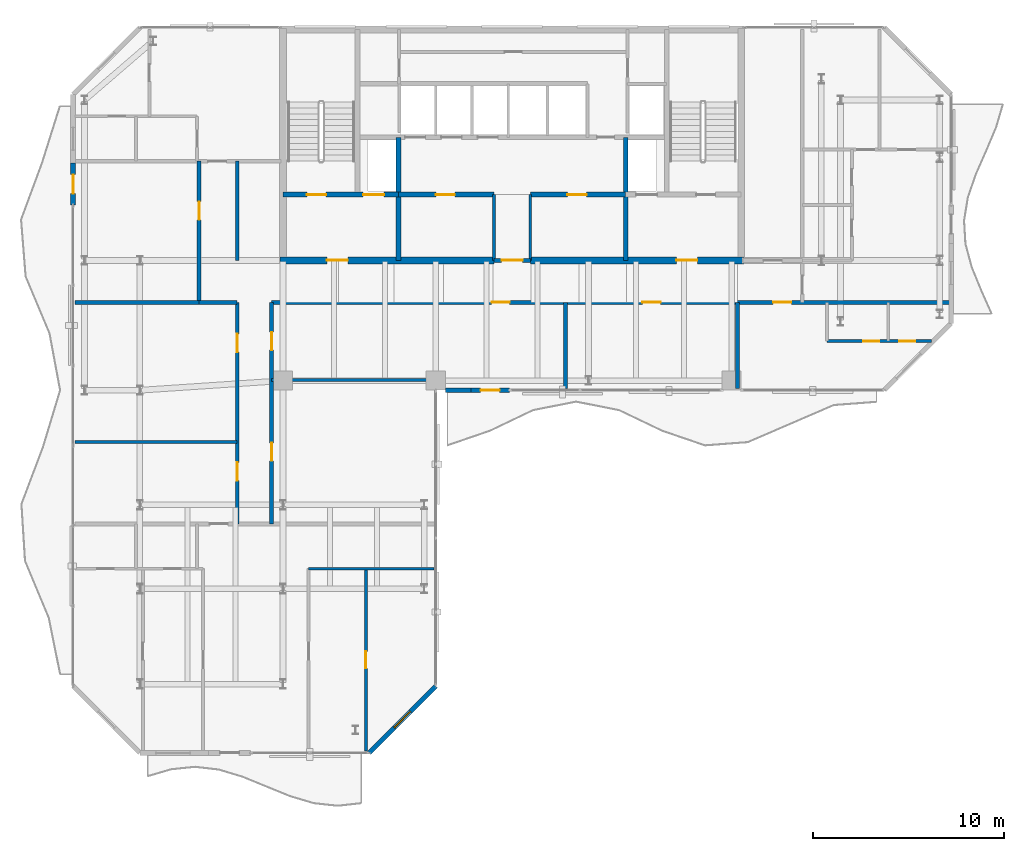
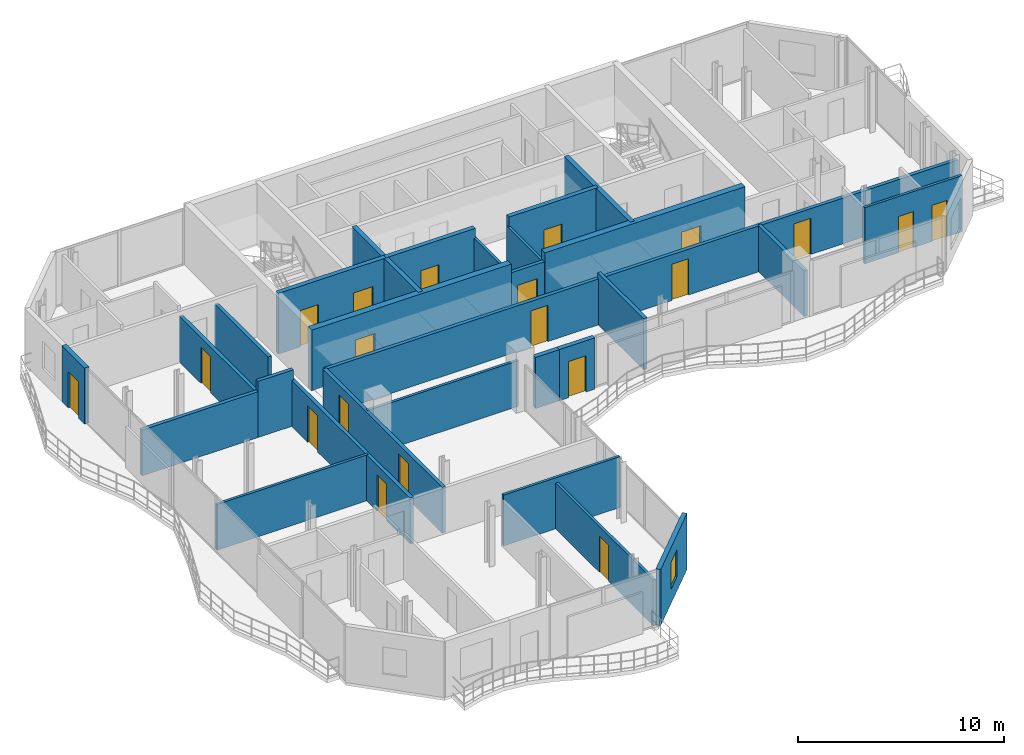
# One storey, part 18 of 23: 28 walls, 20 doors, 1 window, 21 openings.
"""IFC4 building model written with IfcOpenShell, lengths in metres."""

from ifc_helpers import new_model, si_unit, direction, frame, frame_2d, origin, place, context, subcontext, project, spatial, rectangle, extrude, material, layer, layer_set, type_object, element, fill, save


model = new_model("IFC4")

# Units and contexts
model_context = context("Model", 3, precision=1e-05, world=origin(), true_north=direction((0.0, 1.0)))
body_context = subcontext(model_context, "Body", "Model", "MODEL_VIEW")
ifc_project = project(units=[si_unit("LENGTHUNIT", "METRE"), si_unit("AREAUNIT", "SQUARE_METRE"), si_unit("VOLUMEUNIT", "CUBIC_METRE"), si_unit("PLANEANGLEUNIT", "RADIAN"), si_unit("MASSUNIT", "GRAM", prefix="KILO")], contexts=[model_context])

# Site, building, storey
site_placement = place(None, origin())
site = spatial("IfcSite", under=ifc_project, at=site_placement, CompositionType="ELEMENT")
building_placement = place(site_placement, origin())
building = spatial("IfcBuilding", under=site, at=building_placement, Name="Catumbela Crestline Tower", CompositionType="ELEMENT")
storey_placement = place(building_placement, frame((0.0, 0.0, 201.0)))
storey = spatial("IfcBuildingStorey", under=building, at=storey_placement, Name="L52", CompositionType="ELEMENT", Elevation=201.0)

# Walls
ifc_material_1 = material(Name="Concrete C50/60", Category="concrete")
ifc_layer_1 = layer(ifc_material_1, 0.25, Name="Concrete C50/60")
ifc_layer_set_1 = layer_set([ifc_layer_1], Name="Concrete C50/60")
wall_type_1 = type_object("IfcWallType", Name="CW-250D", PredefinedType="SHEAR", material=ifc_layer_set_1)
for number, where, z_axis, x_axis, name in (
    (1, (22.05, 30.8, 0.0), (0.0, 0.0, 1.0), (0.0, 1.0, 0.0), "L52 Structural Core Shear Wall FFW"),
    (2, (33.95, 30.8, 0.0), (0.0, 0.0, 1.0), (0.0, 1.0, 0.0), "L52 Structural Core Shear Wall FFE"),
):
    element("IfcWall", number, at=place(storey_placement, frame(where, z_axis=z_axis, x_axis=x_axis)), inside=storey, type_object=wall_type_1, Name=name, PredefinedType="SHEAR", context=body_context, shape_type="SweptSolid", body=[
        extrude(rectangle(XDim=6.45, YDim=0.25, at=frame_2d((3.225, 0.0))), origin(), (0.0, 0.0, 1.0), 3.6),
    ])

# Wall, openings, doors
wall_1_placement = place(storey_placement, frame((16.0, 34.25, 0.0), z_axis=(0.0, 0.0, 1.0), x_axis=(1.0, 0.0, 0.0)))
wall_1 = element("IfcWall", 3, at=wall_1_placement, inside=storey, type_object=wall_type_1, Name="L52 Structural Core Shear Wall ST1S", PredefinedType="SHEAR", context=body_context, shape_type="SweptSolid", body=[
    extrude(rectangle(XDim=6.05, YDim=0.25, at=frame_2d((3.025, 0.0))), origin(), (0.0, 0.0, 1.0), 3.6),
])
opening_1_placement = place(wall_1_placement, frame((1.25, 0.0, 0.0)))
opening_1 = element("IfcOpeningElement", 4, at=opening_1_placement, cuts=wall_1, Name="Opening DF9-100", PredefinedType="OPENING", context=body_context, shape_type="SweptSolid", body=[
    extrude(rectangle(XDim=1.0, YDim=2.15, at=frame_2d((0.5, 1.075))), frame((0.0, 0.135, 0.0), z_axis=(0.0, -1.0, 0.0), x_axis=(1.0, 0.0, 0.0)), (0.0, 0.0, 1.0), 0.27),
])
opening_2_placement = place(wall_1_placement, frame((4.2, 0.0, 0.0)))
opening_2 = element("IfcOpeningElement", 5, at=opening_2_placement, cuts=wall_1, Name="Opening LD-110", PredefinedType="OPENING", context=body_context, shape_type="SweptSolid", body=[
    extrude(rectangle(XDim=1.1, YDim=2.15, at=frame_2d((0.55, 1.075))), frame((0.0, 0.135, 0.0), z_axis=(0.0, -1.0, 0.0), x_axis=(1.0, 0.0, 0.0)), (0.0, 0.0, 1.0), 0.27),
])
ifc_material_2 = material(Name="Stainless steel EN 1.4401", Category="steel")
door_type_1 = type_object("IfcDoorType", Name="DF9-100", OperationType="NOTDEFINED", PredefinedType="DOOR", material=ifc_material_2)
door_1_placement = place(opening_1_placement, origin())
door_1 = element("IfcDoor", 6, at=door_1_placement, inside=storey, type_object=door_type_1, Name="L52 Interior Door DR-L52-ST01", OperationType="SINGLE_SWING_LEFT", OverallHeight=2.15, OverallWidth=1.0, PredefinedType="DOOR", context=body_context, shape_type="SweptSolid", body=[
    extrude(rectangle(XDim=1.0, YDim=2.15, at=frame_2d((0.5, 1.075))), frame((0.0, 0.025, 0.0), z_axis=(0.0, -1.0, 0.0), x_axis=(1.0, 0.0, 0.0)), (0.0, 0.0, 1.0), 0.05),
])
fill(opening_1, door_1)
door_type_2 = type_object("IfcDoorType", Name="LD-110", OperationType="NOTDEFINED", PredefinedType="DOOR", material=ifc_material_2)
door_2_placement = place(opening_2_placement, origin())
door_2 = element("IfcDoor", 7, at=door_2_placement, inside=storey, type_object=door_type_2, Name="L52 Lift Landing Sliding Door FL-01", OperationType="DOUBLE_DOOR_SLIDING", OverallHeight=2.15, OverallWidth=1.1, PredefinedType="DOOR", context=body_context, shape_type="SweptSolid", body=[
    extrude(rectangle(XDim=1.1, YDim=2.15, at=frame_2d((0.55, 1.075))), frame((0.0, 0.025, 0.0), z_axis=(0.0, -1.0, 0.0), x_axis=(1.0, 0.0, 0.0)), (0.0, 0.0, 1.0), 0.05),
])
fill(opening_2, door_2)

# Wall, opening, door
wall_2_placement = place(storey_placement, frame((22.05, 34.25, 0.0), z_axis=(0.0, 0.0, 1.0), x_axis=(1.0, 0.0, 0.0)))
wall_2 = element("IfcWall", 8, at=wall_2_placement, inside=storey, type_object=wall_type_1, Name="L52 Structural Core Shear Wall LIFTS-W", PredefinedType="SHEAR", context=body_context, shape_type="SweptSolid", body=[
    extrude(rectangle(XDim=5.0, YDim=0.25, at=frame_2d((2.5, 0.0))), origin(), (0.0, 0.0, 1.0), 3.6),
])
opening_3_placement = place(wall_2_placement, frame((1.95, 0.0, 0.0)))
opening_3 = element("IfcOpeningElement", 9, at=opening_3_placement, cuts=wall_2, Name="Opening DF9-100", PredefinedType="OPENING", context=body_context, shape_type="SweptSolid", body=[
    extrude(rectangle(XDim=1.0, YDim=2.15, at=frame_2d((0.5, 1.075))), frame((0.0, 0.135, 0.0), z_axis=(0.0, -1.0, 0.0), x_axis=(1.0, 0.0, 0.0)), (0.0, 0.0, 1.0), 0.27),
])
door_3_placement = place(opening_3_placement, origin())
door_3 = element("IfcDoor", 10, at=door_3_placement, inside=storey, type_object=door_type_1, Name="L52 Interior Door DR-L52-RECL1", OperationType="SINGLE_SWING_LEFT", OverallHeight=2.15, OverallWidth=1.0, PredefinedType="DOOR", context=body_context, shape_type="SweptSolid", body=[
    extrude(rectangle(XDim=1.0, YDim=2.15, at=frame_2d((0.5, 1.075))), frame((0.0, 0.025, 0.0), z_axis=(0.0, -1.0, 0.0), x_axis=(1.0, 0.0, 0.0)), (0.0, 0.0, 1.0), 0.05),
])
fill(opening_3, door_3)

wall_3_placement = place(storey_placement, frame((28.95, 34.25, 0.0), z_axis=(0.0, 0.0, 1.0), x_axis=(1.0, 0.0, 0.0)))
wall_3 = element("IfcWall", 11, at=wall_3_placement, inside=storey, type_object=wall_type_1, Name="L52 Structural Core Shear Wall LIFTS-E", PredefinedType="SHEAR", context=body_context, shape_type="SweptSolid", body=[
    extrude(rectangle(XDim=5.0, YDim=0.25, at=frame_2d((2.5, 0.0))), origin(), (0.0, 0.0, 1.0), 3.6),
])
opening_4_placement = place(wall_3_placement, frame((1.95, 0.0, 0.0)))
opening_4 = element("IfcOpeningElement", 12, at=opening_4_placement, cuts=wall_3, Name="Opening DF9-100", PredefinedType="OPENING", context=body_context, shape_type="SweptSolid", body=[
    extrude(rectangle(XDim=1.0, YDim=2.15, at=frame_2d((0.5, 1.075))), frame((0.0, 0.135, 0.0), z_axis=(0.0, -1.0, 0.0), x_axis=(1.0, 0.0, 0.0)), (0.0, 0.0, 1.0), 0.27),
])
door_4_placement = place(opening_4_placement, origin())
door_4 = element("IfcDoor", 13, at=door_4_placement, inside=storey, type_object=door_type_1, Name="L52 Interior Door DR-L52-RECL2", OperationType="SINGLE_SWING_RIGHT", OverallHeight=2.15, OverallWidth=1.0, PredefinedType="DOOR", context=body_context, shape_type="SweptSolid", body=[
    extrude(rectangle(XDim=1.0, YDim=2.15, at=frame_2d((0.5, 1.075))), frame((0.0, 0.025, 0.0), z_axis=(0.0, -1.0, 0.0), x_axis=(1.0, 0.0, 0.0)), (0.0, 0.0, 1.0), 0.05),
])
fill(opening_4, door_4)

ifc_layer_2 = layer(ifc_material_1, 0.35, Name="Concrete C50/60")
ifc_layer_set_2 = layer_set([ifc_layer_2], Name="Concrete C50/60")
wall_type_2 = type_object("IfcWallType", Name="CW-350B", PredefinedType="SHEAR", material=ifc_layer_set_2)
wall_4_placement = place(storey_placement, frame((15.85, 30.8, 0.0), z_axis=(0.0, 0.0, 1.0), x_axis=(1.0, 0.0, 0.0)))
wall_4 = element("IfcWall", 14, at=wall_4_placement, inside=storey, type_object=wall_type_2, Name="L52 Structural Core Shear Wall SW", PredefinedType="SHEAR", context=body_context, shape_type="SweptSolid", body=[
    extrude(rectangle(XDim=11.2, YDim=0.35, at=frame_2d((5.6, 0.0))), origin(), (0.0, 0.0, 1.0), 3.6),
])
opening_5_placement = place(wall_4_placement, frame((2.45, 0.0, 0.0)))
opening_5 = element("IfcOpeningElement", 15, at=opening_5_placement, cuts=wall_4, Name="Opening DF9-110", PredefinedType="OPENING", context=body_context, shape_type="SweptSolid", body=[
    extrude(rectangle(XDim=1.1, YDim=2.15, at=frame_2d((0.55, 1.075))), frame((0.0, 0.185, 0.0), z_axis=(0.0, -1.0, 0.0), x_axis=(1.0, 0.0, 0.0)), (0.0, 0.0, 1.0), 0.37),
])
door_type_3 = type_object("IfcDoorType", Name="DF9-110", OperationType="NOTDEFINED", PredefinedType="DOOR", material=ifc_material_2)
door_5_placement = place(opening_5_placement, origin())
door_5 = element("IfcDoor", 16, at=door_5_placement, inside=storey, type_object=door_type_3, Name="L52 Interior Door DR-L52-FFW-S", OperationType="SINGLE_SWING_LEFT", OverallHeight=2.15, OverallWidth=1.1, PredefinedType="DOOR", context=body_context, shape_type="SweptSolid", body=[
    extrude(rectangle(XDim=1.1, YDim=2.15, at=frame_2d((0.55, 1.075))), frame((0.0, 0.025, 0.0), z_axis=(0.0, -1.0, 0.0), x_axis=(1.0, 0.0, 0.0)), (0.0, 0.0, 1.0), 0.05),
])
fill(opening_5, door_5)

wall_5_placement = place(storey_placement, frame((28.95, 30.8, 0.0), z_axis=(0.0, 0.0, 1.0), x_axis=(1.0, 0.0, 0.0)))
wall_5 = element("IfcWall", 17, at=wall_5_placement, inside=storey, type_object=wall_type_2, Name="L52 Structural Core Shear Wall SE", PredefinedType="SHEAR", context=body_context, shape_type="SweptSolid", body=[
    extrude(rectangle(XDim=11.2, YDim=0.35, at=frame_2d((5.6, 0.0))), origin(), (0.0, 0.0, 1.0), 3.6),
])
opening_6_placement = place(wall_5_placement, frame((7.65, 0.0, 0.0)))
opening_6 = element("IfcOpeningElement", 18, at=opening_6_placement, cuts=wall_5, Name="Opening DF9-110", PredefinedType="OPENING", context=body_context, shape_type="SweptSolid", body=[
    extrude(rectangle(XDim=1.1, YDim=2.15, at=frame_2d((0.55, 1.075))), frame((0.0, 0.185, 0.0), z_axis=(0.0, -1.0, 0.0), x_axis=(1.0, 0.0, 0.0)), (0.0, 0.0, 1.0), 0.37),
])
door_6_placement = place(opening_6_placement, origin())
door_6 = element("IfcDoor", 19, at=door_6_placement, inside=storey, type_object=door_type_3, Name="L52 Interior Door DR-L52-FFE-S", OperationType="SINGLE_SWING_RIGHT", OverallHeight=2.15, OverallWidth=1.1, PredefinedType="DOOR", context=body_context, shape_type="SweptSolid", body=[
    extrude(rectangle(XDim=1.1, YDim=2.15, at=frame_2d((0.55, 1.075))), frame((0.0, 0.025, 0.0), z_axis=(0.0, -1.0, 0.0), x_axis=(1.0, 0.0, 0.0)), (0.0, 0.0, 1.0), 0.05),
])
fill(opening_6, door_6)

ifc_material_3 = material(Name="Acoustic gypsum and mineral-wool partition")
ifc_layer_3 = layer(ifc_material_3, 0.2, Name="Acoustic gypsum and mineral-wool partition")
ifc_layer_set_3 = layer_set([ifc_layer_3], Name="Acoustic gypsum and mineral-wool partition")
wall_type_3 = type_object("IfcWallType", Name="WC-200", PredefinedType="PARTITIONING", material=ifc_layer_set_3)
wall_6_placement = place(storey_placement, frame((27.05, 30.8, 0.0), z_axis=(0.0, 0.0, 1.0), x_axis=(1.0, 0.0, 0.0)))
wall_6 = element("IfcWall", 20, at=wall_6_placement, inside=storey, type_object=wall_type_3, Name="L52 Interior Partition PW-L52-CLOBS", PredefinedType="PARTITIONING", context=body_context, shape_type="SweptSolid", body=[
    extrude(rectangle(XDim=1.9, YDim=0.2, at=frame_2d((0.95, 0.0))), origin(), (0.0, 0.0, 1.0), 3.02),
])
opening_7_placement = place(wall_6_placement, frame((0.4, 0.0, 0.0)))
opening_7 = element("IfcOpeningElement", 21, at=opening_7_placement, cuts=wall_6, Name="Opening DF9-110", PredefinedType="OPENING", context=body_context, shape_type="SweptSolid", body=[
    extrude(rectangle(XDim=1.1, YDim=2.15, at=frame_2d((0.55, 1.075))), frame((0.0, 0.11, 0.0), z_axis=(0.0, -1.0, 0.0), x_axis=(1.0, 0.0, 0.0)), (0.0, 0.0, 1.0), 0.22),
])
door_7_placement = place(opening_7_placement, origin())
door_7 = element("IfcDoor", 22, at=door_7_placement, inside=storey, type_object=door_type_3, Name="L52 Interior Door DR-L52-CLOBS", OperationType="SINGLE_SWING_LEFT", OverallHeight=2.15, OverallWidth=1.1, PredefinedType="DOOR", context=body_context, shape_type="SweptSolid", body=[
    extrude(rectangle(XDim=1.1, YDim=2.15, at=frame_2d((0.55, 1.075))), frame((0.0, 0.025, 0.0), z_axis=(0.0, -1.0, 0.0), x_axis=(1.0, 0.0, 0.0)), (0.0, 0.0, 1.0), 0.05),
])
fill(opening_7, door_7)

# Wall
wall_7_placement = place(storey_placement, frame((11.6, 28.6, 0.0), z_axis=(0.0, 0.0, 1.0), x_axis=(1.0, 0.0, 0.0)))
element("IfcWall", 23, at=wall_7_placement, inside=storey, type_object=wall_type_3, Name="L52 Interior Partition PW-L52-RCWL", PredefinedType="PARTITIONING", context=body_context, shape_type="SweptSolid", body=[
    extrude(rectangle(XDim=2.0, YDim=0.2, at=frame_2d((1.0, 0.0))), origin(), (0.0, 0.0, 1.0), 3.33),
])

# Wall, openings, doors
wall_8_placement = place(storey_placement, frame((15.4, 28.6, 0.0), z_axis=(0.0, 0.0, 1.0), x_axis=(1.0, 0.0, 0.0)))
wall_8 = element("IfcWall", 24, at=wall_8_placement, inside=storey, type_object=wall_type_3, Name="L52 Interior Partition PW-L52-RCWR", PredefinedType="PARTITIONING", context=body_context, shape_type="SweptSolid", body=[
    extrude(rectangle(XDim=35.5, YDim=0.2, at=frame_2d((17.75, 0.0))), origin(), (0.0, 0.0, 1.0), 2.72),
])
opening_8_placement = place(wall_8_placement, frame((11.525, 0.0, 0.0)))
opening_8 = element("IfcOpeningElement", 25, at=opening_8_placement, cuts=wall_8, Name="Opening DF6-095", PredefinedType="OPENING", context=body_context, shape_type="SweptSolid", body=[
    extrude(rectangle(XDim=0.95, YDim=2.15, at=frame_2d((0.475, 1.075))), frame((0.0, 0.11, 0.0), z_axis=(0.0, -1.0, 0.0), x_axis=(1.0, 0.0, 0.0)), (0.0, 0.0, 1.0), 0.22),
])
opening_9_placement = place(wall_8_placement, frame((19.425, 0.0, 0.0)))
opening_9 = element("IfcOpeningElement", 26, at=opening_9_placement, cuts=wall_8, Name="Opening DF6-095", PredefinedType="OPENING", context=body_context, shape_type="SweptSolid", body=[
    extrude(rectangle(XDim=0.95, YDim=2.15, at=frame_2d((0.475, 1.075))), frame((0.0, 0.11, 0.0), z_axis=(0.0, -1.0, 0.0), x_axis=(1.0, 0.0, 0.0)), (0.0, 0.0, 1.0), 0.22),
])
opening_10_placement = place(wall_8_placement, frame((26.275, 0.0, 0.0)))
opening_10 = element("IfcOpeningElement", 27, at=opening_10_placement, cuts=wall_8, Name="Opening DF6-095", PredefinedType="OPENING", context=body_context, shape_type="SweptSolid", body=[
    extrude(rectangle(XDim=0.95, YDim=2.15, at=frame_2d((0.475, 1.075))), frame((0.0, 0.11, 0.0), z_axis=(0.0, -1.0, 0.0), x_axis=(1.0, 0.0, 0.0)), (0.0, 0.0, 1.0), 0.22),
])
ifc_material_4 = material(Name="Aluminium alloy AW-6060-T66", Category="aluminium")
door_type_4 = type_object("IfcDoorType", Name="DF6-095", OperationType="NOTDEFINED", PredefinedType="DOOR", material=ifc_material_4)
door_8_placement = place(opening_8_placement, origin())
door_8 = element("IfcDoor", 28, at=door_8_placement, inside=storey, type_object=door_type_4, Name="L52 Interior Door DR-L52-Z3AM1-ENT", OperationType="SINGLE_SWING_LEFT", OverallHeight=2.15, OverallWidth=0.95, PredefinedType="DOOR", context=body_context, shape_type="SweptSolid", body=[
    extrude(rectangle(XDim=0.95, YDim=2.15, at=frame_2d((0.475, 1.075))), frame((0.0, 0.025, 0.0), z_axis=(0.0, -1.0, 0.0), x_axis=(1.0, 0.0, 0.0)), (0.0, 0.0, 1.0), 0.05),
])
fill(opening_8, door_8)
door_9_placement = place(opening_9_placement, origin())
door_9 = element("IfcDoor", 29, at=door_9_placement, inside=storey, type_object=door_type_4, Name="L52 Interior Door DR-L52-Z3AM2-ENT", OperationType="SINGLE_SWING_RIGHT", OverallHeight=2.15, OverallWidth=0.95, PredefinedType="DOOR", context=body_context, shape_type="SweptSolid", body=[
    extrude(rectangle(XDim=0.95, YDim=2.15, at=frame_2d((0.475, 1.075))), frame((0.0, 0.025, 0.0), z_axis=(0.0, -1.0, 0.0), x_axis=(1.0, 0.0, 0.0)), (0.0, 0.0, 1.0), 0.05),
])
fill(opening_9, door_9)
door_10_placement = place(opening_10_placement, origin())
door_10 = element("IfcDoor", 30, at=door_10_placement, inside=storey, type_object=door_type_4, Name="L52 Interior Door DR-L52-S3-ENT", OperationType="SINGLE_SWING_LEFT", OverallHeight=2.15, OverallWidth=0.95, PredefinedType="DOOR", context=body_context, shape_type="SweptSolid", body=[
    extrude(rectangle(XDim=0.95, YDim=2.15, at=frame_2d((0.475, 1.075))), frame((0.0, 0.025, 0.0), z_axis=(0.0, -1.0, 0.0), x_axis=(1.0, 0.0, 0.0)), (0.0, 0.0, 1.0), 0.05),
])
fill(opening_10, door_10)

# Wall
wall_9_placement = place(storey_placement, frame((13.6, 30.8, 0.0), z_axis=(0.0, 0.0, 1.0), x_axis=(0.0, 1.0, 0.0)))
element("IfcWall", 31, at=wall_9_placement, inside=storey, type_object=wall_type_3, Name="L52 Interior Partition PW-L52-NWFYE", PredefinedType="PARTITIONING", context=body_context, shape_type="SweptSolid", body=[
    extrude(rectangle(XDim=5.2, YDim=0.2, at=frame_2d((2.6, 0.0))), origin(), (0.0, 0.0, 1.0), 2.72),
])

# Wall, opening, door
wall_10_placement = place(storey_placement, frame((11.6, 28.6, 0.0), z_axis=(0.0, 0.0, 1.0), x_axis=(0.0, 1.0, 0.0)))
wall_10 = element("IfcWall", 32, at=wall_10_placement, inside=storey, type_object=wall_type_3, Name="L52 Interior Partition PW-L52-NWAM-ENT", PredefinedType="PARTITIONING", context=body_context, shape_type="SweptSolid", body=[
    extrude(rectangle(XDim=7.4, YDim=0.2, at=frame_2d((3.7, 0.0))), origin(), (0.0, 0.0, 1.0), 2.72),
])
opening_11_placement = place(wall_10_placement, frame((4.325, 0.0, 0.0)))
opening_11 = element("IfcOpeningElement", 33, at=opening_11_placement, cuts=wall_10, Name="Opening DF6-095", PredefinedType="OPENING", context=body_context, shape_type="SweptSolid", body=[
    extrude(rectangle(XDim=0.95, YDim=2.15, at=frame_2d((0.475, 1.075))), frame((0.0, 0.11, 0.0), z_axis=(0.0, -1.0, 0.0), x_axis=(1.0, 0.0, 0.0)), (0.0, 0.0, 1.0), 0.22),
])
door_11_placement = place(opening_11_placement, origin())
door_11 = element("IfcDoor", 34, at=door_11_placement, inside=storey, type_object=door_type_4, Name="L52 Interior Door DR-L52-NWAM-ENT", OperationType="SINGLE_SWING_RIGHT", OverallHeight=2.15, OverallWidth=0.95, PredefinedType="DOOR", context=body_context, shape_type="SweptSolid", body=[
    extrude(rectangle(XDim=0.95, YDim=2.15, at=frame_2d((0.475, 1.075))), frame((0.0, 0.025, 0.0), z_axis=(0.0, -1.0, 0.0), x_axis=(1.0, 0.0, 0.0)), (0.0, 0.0, 1.0), 0.05),
])
fill(opening_11, door_11)

# Wall, openings, doors
wall_11_placement = place(storey_placement, frame((13.6, 17.0, 0.0), z_axis=(0.0, 0.0, 1.0), x_axis=(0.0, 1.0, 0.0)))
wall_11 = element("IfcWall", 35, at=wall_11_placement, inside=storey, type_object=wall_type_3, Name="L52 Interior Partition PW-L52-Z3TR1-ENT", PredefinedType="PARTITIONING", context=body_context, shape_type="SweptSolid", body=[
    extrude(rectangle(XDim=11.6, YDim=0.2, at=frame_2d((5.8, 0.0))), origin(), (0.0, 0.0, 1.0), 2.72),
])
opening_12_placement = place(wall_11_placement, frame((8.9962, 0.0, 0.0)))
opening_12 = element("IfcOpeningElement", 36, at=opening_12_placement, cuts=wall_11, Name="Opening DF6-095", PredefinedType="OPENING", context=body_context, shape_type="SweptSolid", body=[
    extrude(rectangle(XDim=0.95, YDim=2.15, at=frame_2d((0.475, 1.075))), frame((0.0, 0.11, 0.0), z_axis=(0.0, -1.0, 0.0), x_axis=(1.0, 0.0, 0.0)), (0.0, 0.0, 1.0), 0.22),
])
opening_13_placement = place(wall_11_placement, frame((2.269, 0.0, 0.0)))
opening_13 = element("IfcOpeningElement", 37, at=opening_13_placement, cuts=wall_11, Name="Opening DF6-095", PredefinedType="OPENING", context=body_context, shape_type="SweptSolid", body=[
    extrude(rectangle(XDim=0.95, YDim=2.15, at=frame_2d((0.475, 1.075))), frame((0.0, 0.11, 0.0), z_axis=(0.0, -1.0, 0.0), x_axis=(1.0, 0.0, 0.0)), (0.0, 0.0, 1.0), 0.22),
])
door_12_placement = place(opening_12_placement, origin())
door_12 = element("IfcDoor", 38, at=door_12_placement, inside=storey, type_object=door_type_4, Name="L52 Interior Door DR-L52-Z3TR1-ENT", OperationType="SINGLE_SWING_LEFT", OverallHeight=2.15, OverallWidth=0.95, PredefinedType="DOOR", context=body_context, shape_type="SweptSolid", body=[
    extrude(rectangle(XDim=0.95, YDim=2.15, at=frame_2d((0.475, 1.075))), frame((0.0, 0.025, 0.0), z_axis=(0.0, -1.0, 0.0), x_axis=(1.0, 0.0, 0.0)), (0.0, 0.0, 1.0), 0.05),
])
fill(opening_12, door_12)
door_13_placement = place(opening_13_placement, origin())
door_13 = element("IfcDoor", 39, at=door_13_placement, inside=storey, type_object=door_type_4, Name="L52 Interior Door DR-L52-Z3DN1-ENT", OperationType="SINGLE_SWING_LEFT", OverallHeight=2.15, OverallWidth=0.95, PredefinedType="DOOR", context=body_context, shape_type="SweptSolid", body=[
    extrude(rectangle(XDim=0.95, YDim=2.15, at=frame_2d((0.475, 1.075))), frame((0.0, 0.025, 0.0), z_axis=(0.0, -1.0, 0.0), x_axis=(1.0, 0.0, 0.0)), (0.0, 0.0, 1.0), 0.05),
])
fill(opening_13, door_13)

wall_12_placement = place(storey_placement, frame((15.4, 17.0, 0.0), z_axis=(0.0, 0.0, 1.0), x_axis=(0.0, 1.0, 0.0)))
wall_12 = element("IfcWall", 40, at=wall_12_placement, inside=storey, type_object=wall_type_3, Name="L52 Interior Partition PW-L52-Z3OF3-ENT", PredefinedType="PARTITIONING", context=body_context, shape_type="SweptSolid", body=[
    extrude(rectangle(XDim=11.6, YDim=0.2, at=frame_2d((5.8, 0.0))), origin(), (0.0, 0.0, 1.0), 2.72),
])
opening_14_placement = place(wall_12_placement, frame((9.095, 0.0, 0.0)))
opening_14 = element("IfcOpeningElement", 41, at=opening_14_placement, cuts=wall_12, Name="Opening DF6-095", PredefinedType="OPENING", context=body_context, shape_type="SweptSolid", body=[
    extrude(rectangle(XDim=0.95, YDim=2.15, at=frame_2d((0.475, 1.075))), frame((0.0, 0.11, 0.0), z_axis=(0.0, -1.0, 0.0), x_axis=(1.0, 0.0, 0.0)), (0.0, 0.0, 1.0), 0.22),
])
opening_15_placement = place(wall_12_placement, frame((3.295, 0.0, 0.0)))
opening_15 = element("IfcOpeningElement", 42, at=opening_15_placement, cuts=wall_12, Name="Opening DF6-095", PredefinedType="OPENING", context=body_context, shape_type="SweptSolid", body=[
    extrude(rectangle(XDim=0.95, YDim=2.15, at=frame_2d((0.475, 1.075))), frame((0.0, 0.11, 0.0), z_axis=(0.0, -1.0, 0.0), x_axis=(1.0, 0.0, 0.0)), (0.0, 0.0, 1.0), 0.22),
])
door_14_placement = place(opening_14_placement, origin())
door_14 = element("IfcDoor", 43, at=door_14_placement, inside=storey, type_object=door_type_4, Name="L52 Interior Door DR-L52-Z3OF3-ENT", OperationType="SINGLE_SWING_RIGHT", OverallHeight=2.15, OverallWidth=0.95, PredefinedType="DOOR", context=body_context, shape_type="SweptSolid", body=[
    extrude(rectangle(XDim=0.95, YDim=2.15, at=frame_2d((0.475, 1.075))), frame((0.0, 0.025, 0.0), z_axis=(0.0, -1.0, 0.0), x_axis=(1.0, 0.0, 0.0)), (0.0, 0.0, 1.0), 0.05),
])
fill(opening_14, door_14)
door_15_placement = place(opening_15_placement, origin())
door_15 = element("IfcDoor", 44, at=door_15_placement, inside=storey, type_object=door_type_4, Name="L52 Interior Door DR-L52-Z3MT1-ENT", OperationType="SINGLE_SWING_RIGHT", OverallHeight=2.15, OverallWidth=0.95, PredefinedType="DOOR", context=body_context, shape_type="SweptSolid", body=[
    extrude(rectangle(XDim=0.95, YDim=2.15, at=frame_2d((0.475, 1.075))), frame((0.0, 0.025, 0.0), z_axis=(0.0, -1.0, 0.0), x_axis=(1.0, 0.0, 0.0)), (0.0, 0.0, 1.0), 0.05),
])
fill(opening_15, door_15)

# Wall, opening, window
ifc_material_5 = material(Name="Angolan grey-ochre granite", Category="masonry")
ifc_layer_4 = layer(ifc_material_5, 0.25, Name="Angolan grey-ochre granite")
ifc_layer_set_4 = layer_set([ifc_layer_4], Name="Angolan grey-ochre granite")
wall_type_4 = type_object("IfcWallType", Name="WE-250", PredefinedType="STANDARD", material=ifc_layer_set_4)
wall_13_placement = place(storey_placement, frame((20.5, 5.0, 0.0), z_axis=(0.0, 0.0, 1.0), x_axis=(0.707106781187, 0.707106781187, 0.0)))
wall_13 = element("IfcWall", 45, at=wall_13_placement, inside=storey, type_object=wall_type_4, Name="L52 Granite Punched Window Wall 1-1", PredefinedType="STANDARD", context=body_context, shape_type="SweptSolid", body=[
    extrude(rectangle(XDim=4.9497, YDim=0.25, at=frame_2d((2.4748, 0.0))), origin(), (0.0, 0.0, 1.0), 3.33),
])
opening_16_placement = place(wall_13_placement, frame((1.8748, 0.0, 0.85)))
opening_16 = element("IfcOpeningElement", 46, at=opening_16_placement, cuts=wall_13, Name="Opening WN-02", PredefinedType="OPENING", context=body_context, shape_type="SweptSolid", body=[
    extrude(rectangle(XDim=1.2, YDim=1.6, at=frame_2d((0.6, 0.8))), frame((0.0, 0.135, 0.0), z_axis=(0.0, -1.0, 0.0), x_axis=(1.0, 0.0, 0.0)), (0.0, 0.0, 1.0), 0.27),
])
ifc_material_6 = material(Name="Low-E laminated solar-control double glazing", Category="glass")
window_type = type_object("IfcWindowType", Name="WO-1200", PartitioningType="SINGLE_PANEL", PredefinedType="WINDOW", material=ifc_material_6)
window_placement = place(opening_16_placement, origin())
window = element("IfcWindow", 47, at=window_placement, inside=storey, type_object=window_type, Name="L52 Facade Vision Window 346", OverallHeight=1.6, OverallWidth=1.2, PartitioningType="SINGLE_PANEL", PredefinedType="WINDOW", context=body_context, shape_type="SweptSolid", body=[
    extrude(rectangle(XDim=1.2, YDim=1.6, at=frame_2d((0.6, 0.8))), frame((0.0, 0.03, 0.0), z_axis=(0.0, -1.0, 0.0), x_axis=(1.0, 0.0, 0.0)), (0.0, 0.0, 1.0), 0.06),
])
fill(opening_16, window)

# Wall, opening, door
wall_14_placement = place(storey_placement, frame((25.85, 24.0, 0.0), z_axis=(0.0, 0.0, 1.0), x_axis=(1.0, 0.0, 0.0)))
wall_14 = element("IfcWall", 48, at=wall_14_placement, inside=storey, type_object=wall_type_4, Name="L52 Exterior Threshold Portal Wall DR-L52-WBAL-1", PredefinedType="STANDARD", context=body_context, shape_type="SweptSolid", body=[
    extrude(rectangle(XDim=2.0, YDim=0.25, at=frame_2d((1.0, 0.0))), origin(), (0.0, 0.0, 1.0), 3.04),
])
opening_17_placement = place(wall_14_placement, frame((0.5, 0.0, 0.0)))
opening_17 = element("IfcOpeningElement", 49, at=opening_17_placement, cuts=wall_14, Name="Opening DB-L52-1", PredefinedType="OPENING", context=body_context, shape_type="SweptSolid", body=[
    extrude(rectangle(XDim=1.0, YDim=2.15, at=frame_2d((0.5, 1.075))), frame((0.0, 0.135, 0.0), z_axis=(0.0, -1.0, 0.0), x_axis=(1.0, 0.0, 0.0)), (0.0, 0.0, 1.0), 0.27),
])
door_type_5 = type_object("IfcDoorType", Name="DB-1000", OperationType="NOTDEFINED", PredefinedType="DOOR", material=ifc_material_4)
door_16_placement = place(opening_17_placement, origin())
door_16 = element("IfcDoor", 50, at=door_16_placement, inside=storey, type_object=door_type_5, Name="L52 Wave Balcony Terrace Door 1", OperationType="SINGLE_SWING_RIGHT", OverallHeight=2.15, OverallWidth=1.0, PredefinedType="DOOR", context=body_context, shape_type="SweptSolid", body=[
    extrude(rectangle(XDim=1.0, YDim=2.15, at=frame_2d((0.5, 1.075))), frame((0.0, 0.025, 0.0), z_axis=(0.0, -1.0, 0.0), x_axis=(1.0, 0.0, 0.0)), (0.0, 0.0, 1.0), 0.05),
])
fill(opening_17, door_16)

# Wall
wall_15_placement = place(storey_placement, frame((24.5, 24.0, 0.0), z_axis=(0.0, 0.0, 1.0), x_axis=(1.0, 0.0, 0.0)))
element("IfcWall", 51, at=wall_15_placement, inside=storey, type_object=wall_type_4, Name="L52 Granite Punched Window Wall 3-1", PredefinedType="STANDARD", context=body_context, shape_type="SweptSolid", body=[
    extrude(rectangle(XDim=1.35, YDim=0.25, at=frame_2d((0.675, 0.0))), origin(), (0.0, 0.0, 1.0), 3.04),
])

# Wall, opening, door
wall_16_placement = place(storey_placement, frame((5.0, 35.9, 0.0), z_axis=(0.0, 0.0, 1.0), x_axis=(0.0, -1.0, 0.0)))
wall_16 = element("IfcWall", 52, at=wall_16_placement, inside=storey, type_object=wall_type_4, Name="L52 Exterior Threshold Portal Wall DR-L52-WBAL-4", PredefinedType="STANDARD", context=body_context, shape_type="SweptSolid", body=[
    extrude(rectangle(XDim=2.2, YDim=0.25, at=frame_2d((1.1, 0.0))), origin(), (0.0, 0.0, 1.0), 3.33),
])
opening_18_placement = place(wall_16_placement, frame((0.6, 0.0, 0.0)))
opening_18 = element("IfcOpeningElement", 53, at=opening_18_placement, cuts=wall_16, Name="Opening DB-L52-4", PredefinedType="OPENING", context=body_context, shape_type="SweptSolid", body=[
    extrude(rectangle(XDim=1.0, YDim=2.15, at=frame_2d((0.5, 1.075))), frame((0.0, 0.135, 0.0), z_axis=(0.0, -1.0, 0.0), x_axis=(1.0, 0.0, 0.0)), (0.0, 0.0, 1.0), 0.27),
])
door_17_placement = place(opening_18_placement, origin())
door_17 = element("IfcDoor", 54, at=door_17_placement, inside=storey, type_object=door_type_5, Name="L52 Wave Balcony Terrace Door 4", OperationType="SINGLE_SWING_LEFT", OverallHeight=2.15, OverallWidth=1.0, PredefinedType="DOOR", context=body_context, shape_type="SweptSolid", body=[
    extrude(rectangle(XDim=1.0, YDim=2.15, at=frame_2d((0.5, 1.075))), frame((0.0, 0.025, 0.0), z_axis=(0.0, -1.0, 0.0), x_axis=(1.0, 0.0, 0.0)), (0.0, 0.0, 1.0), 0.05),
])
fill(opening_18, door_17)

# Wall, openings, doors
ifc_layer_5 = layer(ifc_material_3, 0.15, Name="Acoustic gypsum and mineral-wool partition")
ifc_layer_set_5 = layer_set([ifc_layer_5], Name="Acoustic gypsum and mineral-wool partition")
wall_type_5 = type_object("IfcWallType", Name="WP-150", PredefinedType="PARTITIONING", material=ifc_layer_set_5)
wall_17_placement = place(storey_placement, frame((44.5, 26.576, 0.0), z_axis=(0.0, 0.0, 1.0), x_axis=(1.0, 0.0, 0.0)))
wall_17 = element("IfcWall", 55, at=wall_17_placement, inside=storey, type_object=wall_type_5, Name="L52 Interior Partition PW-L52-S3-KBD1", PredefinedType="PARTITIONING", context=body_context, shape_type="SweptSolid", body=[
    extrude(rectangle(XDim=5.476, YDim=0.15, at=frame_2d((2.738, 0.0))), origin(), (0.0, 0.0, 1.0), 3.33),
])
opening_19_placement = place(wall_17_placement, frame((1.8821, 0.0, 0.0)))
opening_19 = element("IfcOpeningElement", 56, at=opening_19_placement, cuts=wall_17, Name="Opening DI-085", PredefinedType="OPENING", context=body_context, shape_type="SweptSolid", body=[
    extrude(rectangle(XDim=0.85, YDim=2.15, at=frame_2d((0.425, 1.075))), frame((0.0, 0.085, 0.0), z_axis=(0.0, -1.0, 0.0), x_axis=(1.0, 0.0, 0.0)), (0.0, 0.0, 1.0), 0.17),
])
opening_20_placement = place(wall_17_placement, frame((3.7704, 0.0, 0.0)))
opening_20 = element("IfcOpeningElement", 57, at=opening_20_placement, cuts=wall_17, Name="Opening DI-085", PredefinedType="OPENING", context=body_context, shape_type="SweptSolid", body=[
    extrude(rectangle(XDim=0.85, YDim=2.15, at=frame_2d((0.425, 1.075))), frame((0.0, 0.085, 0.0), z_axis=(0.0, -1.0, 0.0), x_axis=(1.0, 0.0, 0.0)), (0.0, 0.0, 1.0), 0.17),
])
door_type_6 = type_object("IfcDoorType", Name="DI-085", OperationType="NOTDEFINED", PredefinedType="DOOR", material=ifc_material_4)
door_18_placement = place(opening_19_placement, origin())
door_18 = element("IfcDoor", 58, at=door_18_placement, inside=storey, type_object=door_type_6, Name="L52 Interior Door DR-L52-S3-BTH", OperationType="SINGLE_SWING_RIGHT", OverallHeight=2.15, OverallWidth=0.85, PredefinedType="DOOR", context=body_context, shape_type="SweptSolid", body=[
    extrude(rectangle(XDim=0.85, YDim=2.15, at=frame_2d((0.425, 1.075))), frame((0.0, 0.025, 0.0), z_axis=(0.0, -1.0, 0.0), x_axis=(1.0, 0.0, 0.0)), (0.0, 0.0, 1.0), 0.05),
])
fill(opening_19, door_18)
door_19_placement = place(opening_20_placement, origin())
door_19 = element("IfcDoor", 59, at=door_19_placement, inside=storey, type_object=door_type_6, Name="L52 Interior Door DR-L52-S3-KIT", OperationType="SINGLE_SWING_LEFT", OverallHeight=2.15, OverallWidth=0.85, PredefinedType="DOOR", context=body_context, shape_type="SweptSolid", body=[
    extrude(rectangle(XDim=0.85, YDim=2.15, at=frame_2d((0.425, 1.075))), frame((0.0, 0.025, 0.0), z_axis=(0.0, -1.0, 0.0), x_axis=(1.0, 0.0, 0.0)), (0.0, 0.0, 1.0), 0.05),
])
fill(opening_20, door_19)

# Walls
for number, where, z_axis, x_axis, name in (
    (60, (5.1, 21.292, 0.0), (0.0, 0.0, 1.0), (1.0, 0.0, 0.0), "L52 Interior Partition PW-L52-RWLP34"),
    (61, (15.4, 24.54, 0.0), (0.0, 0.0, 1.0), (1.0, 0.0, 0.0), "L52 Interior Partition PW-L52-RWRP4"),
):
    element("IfcWall", number, at=place(storey_placement, frame(where, z_axis=z_axis, x_axis=x_axis)), inside=storey, type_object=wall_type_5, Name=name, PredefinedType="PARTITIONING", context=body_context, shape_type="SweptSolid", body=[
        extrude(rectangle(XDim=8.5, YDim=0.15, at=frame_2d((4.25, 0.0))), origin(), (0.0, 0.0, 1.0), 2.72),
    ])
wall_18_placement = place(storey_placement, frame((17.34, 14.65, 0.0), z_axis=(0.0, 0.0, 1.0), x_axis=(1.0, 0.0, 0.0)))
element("IfcWall", 62, at=wall_18_placement, inside=storey, type_object=wall_type_5, Name="L52 Interior Partition PW-L52-SH1-BDRH", PredefinedType="PARTITIONING", context=body_context, shape_type="SweptSolid", body=[
    extrude(rectangle(XDim=6.56, YDim=0.15, at=frame_2d((3.28, 0.0))), origin(), (0.0, 0.0, 1.0), 3.02),
])

# Wall, opening, door
wall_19_placement = place(storey_placement, frame((20.34, 5.1, 0.0), z_axis=(0.0, 0.0, 1.0), x_axis=(0.0, 1.0, 0.0)))
wall_19 = element("IfcWall", 63, at=wall_19_placement, inside=storey, type_object=wall_type_5, Name="L52 Interior Partition PW-L52-SH1-BDR", PredefinedType="PARTITIONING", context=body_context, shape_type="SweptSolid", body=[
    extrude(rectangle(XDim=9.55, YDim=0.15, at=frame_2d((4.775, 0.0))), origin(), (0.0, 0.0, 1.0), 2.72),
])
opening_21_placement = place(wall_19_placement, frame((4.325, 0.0, 0.0)))
opening_21 = element("IfcOpeningElement", 64, at=opening_21_placement, cuts=wall_19, Name="Opening DI-090", PredefinedType="OPENING", context=body_context, shape_type="SweptSolid", body=[
    extrude(rectangle(XDim=0.9, YDim=2.15, at=frame_2d((0.45, 1.075))), frame((0.0, 0.085, 0.0), z_axis=(0.0, -1.0, 0.0), x_axis=(1.0, 0.0, 0.0)), (0.0, 0.0, 1.0), 0.17),
])
door_type_7 = type_object("IfcDoorType", Name="DI-090", OperationType="NOTDEFINED", PredefinedType="DOOR", material=ifc_material_4)
door_20_placement = place(opening_21_placement, origin())
door_20 = element("IfcDoor", 65, at=door_20_placement, inside=storey, type_object=door_type_7, Name="L52 Interior Door DR-L52-SH1-BD2", OperationType="SINGLE_SWING_RIGHT", OverallHeight=2.15, OverallWidth=0.9, PredefinedType="DOOR", context=body_context, shape_type="SweptSolid", body=[
    extrude(rectangle(XDim=0.9, YDim=2.15, at=frame_2d((0.45, 1.075))), frame((0.0, 0.025, 0.0), z_axis=(0.0, -1.0, 0.0), x_axis=(1.0, 0.0, 0.0)), (0.0, 0.0, 1.0), 0.05),
])
fill(opening_21, door_20)

# Walls
ifc_layer_6 = layer(ifc_material_3, 0.2, Name="Acoustic gypsum and mineral-wool partition")
ifc_layer_set_6 = layer_set([ifc_layer_6], Name="Acoustic gypsum and mineral-wool partition")
wall_type_6 = type_object("IfcWallType", Name="WY-200", PredefinedType="PARTITIONING", material=ifc_layer_set_6)
wall_20_placement = place(storey_placement, frame((5.1, 28.6, 0.0), z_axis=(0.0, 0.0, 1.0), x_axis=(1.0, 0.0, 0.0)))
element("IfcWall", 66, at=wall_20_placement, inside=storey, type_object=wall_type_6, Name="L52 Interior Partition PW-L52-RCWNW", PredefinedType="PARTITIONING", context=body_context, shape_type="SweptSolid", body=[
    extrude(rectangle(XDim=6.5, YDim=0.2, at=frame_2d((3.25, 0.0))), origin(), (0.0, 0.0, 1.0), 2.72),
])
wall_21_placement = place(storey_placement, frame((30.8, 24.1, 0.0), z_axis=(0.0, 0.0, 1.0), x_axis=(0.0, 1.0, 0.0)))
element("IfcWall", 67, at=wall_21_placement, inside=storey, type_object=wall_type_6, Name="L52 Interior Partition PW-L52-RSPP-2", PredefinedType="PARTITIONING", context=body_context, shape_type="SweptSolid", body=[
    extrude(rectangle(XDim=4.5, YDim=0.2, at=frame_2d((2.25, 0.0))), origin(), (0.0, 0.0, 1.0), 3.04),
])
wall_22_placement = place(storey_placement, frame((39.8, 24.1, 0.0), z_axis=(0.0, 0.0, 1.0), x_axis=(0.0, 1.0, 0.0)))
element("IfcWall", 68, at=wall_22_placement, inside=storey, type_object=wall_type_6, Name="L52 Interior Partition PW-L52-RSPP-3", PredefinedType="PARTITIONING", context=body_context, shape_type="SweptSolid", body=[
    extrude(rectangle(XDim=4.5, YDim=0.2, at=frame_2d((2.25, 0.0))), origin(), (0.0, 0.0, 1.0), 2.72),
])
ifc_layer_7 = layer(ifc_material_3, 0.15, Name="Acoustic gypsum and mineral-wool partition")
ifc_layer_set_7 = layer_set([ifc_layer_7], Name="Acoustic gypsum and mineral-wool partition")
wall_type_7 = type_object("IfcWallType", Name="WS-150", PredefinedType="PLUMBINGWALL", material=ifc_layer_set_7)
for number, where, z_axis, x_axis, name in (
    (69, (27.05, 30.8, 0.0), (0.0, 0.0, 1.0), (0.0, 1.0, 0.0), "L52 Interior Partition PW-L52-THRW"),
    (70, (28.95, 30.8, 0.0), (0.0, 0.0, 1.0), (0.0, 1.0, 0.0), "L52 Interior Partition PW-L52-THRE"),
):
    element("IfcWall", number, at=place(storey_placement, frame(where, z_axis=z_axis, x_axis=x_axis)), inside=storey, type_object=wall_type_7, Name=name, PredefinedType="PLUMBINGWALL", context=body_context, shape_type="SweptSolid", body=[
        extrude(rectangle(XDim=3.45, YDim=0.15, at=frame_2d((1.725, 0.0))), origin(), (0.0, 0.0, 1.0), 3.02),
    ])

save(model, "model.ifc")
